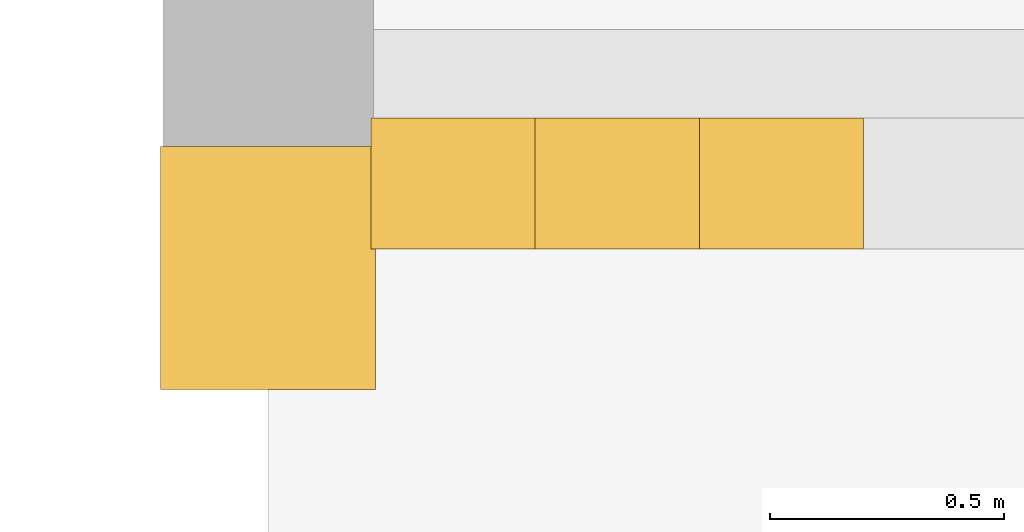
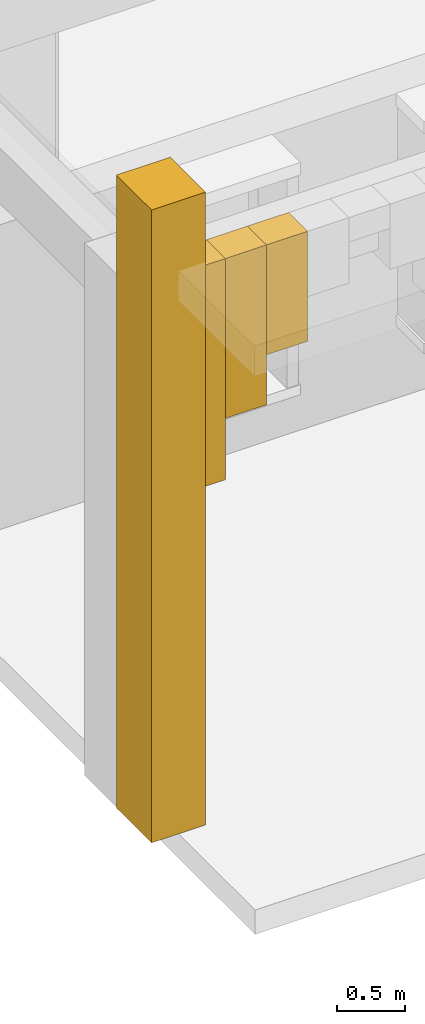
# One storey, part 50 of 72: 4 coverings.
"""IFC4 building model written with IfcOpenShell, lengths in metres."""

from ifc_helpers import new_model, si_unit, direction, frame, origin, origin_2d, place, context, subcontext, project, spatial, rectangle, extrude, material, layer, layer_set, type_object, element, save


model = new_model("IFC4")

# Units and contexts
model_context = context("Model", 3, precision=1e-05, world=origin(), true_north=direction((0.0, 1.0)))
body_context = subcontext(model_context, "Body", "Model", "MODEL_VIEW")
ifc_project = project(units=[si_unit("LENGTHUNIT", "METRE"), si_unit("AREAUNIT", "SQUARE_METRE"), si_unit("VOLUMEUNIT", "CUBIC_METRE"), si_unit("PLANEANGLEUNIT", "RADIAN"), si_unit("MASSUNIT", "GRAM", prefix="KILO")], contexts=[model_context])

# Site, building, storey
site_placement = place(None, origin())
site = spatial("IfcSite", under=ifc_project, at=site_placement, CompositionType="ELEMENT")
building_placement = place(site_placement, origin())
building = spatial("IfcBuilding", under=site, at=building_placement, Name="Nzembalo Square Collegiate School", CompositionType="ELEMENT")
storey_placement = place(building_placement, origin())
storey = spatial("IfcBuildingStorey", under=building, at=storey_placement, Name="L00", CompositionType="ELEMENT", Elevation=0.0)

# Coverings
ifc_material = material(Name="Precast concrete C40/50 arch voussoir", Category="concrete")
ifc_layer = layer(ifc_material, 0.1201171875, Name="Precast concrete C40/50 arch voussoir")
ifc_layer_set = layer_set([ifc_layer], Name="Precast concrete C40/50 arch voussoir")
covering_type = type_object("IfcCoveringType", Name="AR01", PredefinedType="CLADDING", material=ifc_layer_set)
covering_1_placement = place(storey_placement, frame((131.195556640625, 4.6201171875, 2.808349609375), z_axis=(0.0, 0.0, 1.0), x_axis=(1.0, 0.0, 0.0)))
element("IfcCovering", 1, at=covering_1_placement, inside=storey, type_object=covering_type, Name="Gothic pointed arch voussoir AR01-067-0", PredefinedType="CLADDING", context=body_context, shape_type="SweptSolid", body=[
    extrude(rectangle(XDim=0.35107421875, YDim=0.280029296875, at=origin_2d()), origin(), (0.0, 0.0, 1.0), 1.99169921875),
])
covering_2_placement = place(storey_placement, frame((131.546630859375, 4.6201171875, 3.361083984375), z_axis=(0.0, 0.0, 1.0), x_axis=(1.0, 0.0, 0.0)))
element("IfcCovering", 2, at=covering_2_placement, inside=storey, type_object=covering_type, Name="Gothic pointed arch voussoir AR01-067-1", PredefinedType="CLADDING", context=body_context, shape_type="SweptSolid", body=[
    extrude(rectangle(XDim=0.35107421875, YDim=0.280029296875, at=origin_2d()), origin(), (0.0, 0.0, 1.0), 1.43896484375),
])
covering_3_placement = place(storey_placement, frame((131.897705078125, 4.6201171875, 3.810546875), z_axis=(0.0, 0.0, 1.0), x_axis=(1.0, 0.0, 0.0)))
element("IfcCovering", 3, at=covering_3_placement, inside=storey, type_object=covering_type, Name="Gothic pointed arch voussoir AR01-067-2", PredefinedType="CLADDING", context=body_context, shape_type="SweptSolid", body=[
    extrude(rectangle(XDim=0.35107421875, YDim=0.280029296875, at=origin_2d()), origin(), (0.0, 0.0, 1.0), 0.989501953125),
])
covering_4_placement = place(storey_placement, frame((130.800048828125, 4.43994140625, 0.0), z_axis=(0.0, 0.0, 1.0), x_axis=(1.0, 0.0, 0.0)))
element("IfcCovering", 4, at=covering_4_placement, inside=storey, type_object=covering_type, Name="Gothic arcade buttress pinnacle AR01-B067", PredefinedType="CLADDING", context=body_context, shape_type="SweptSolid", body=[
    extrude(rectangle(XDim=0.4599609375, YDim=0.52001953125, at=origin_2d()), origin(), (0.0, 0.0, 1.0), 5.699951171875),
])

save(model, "model.ifc")
